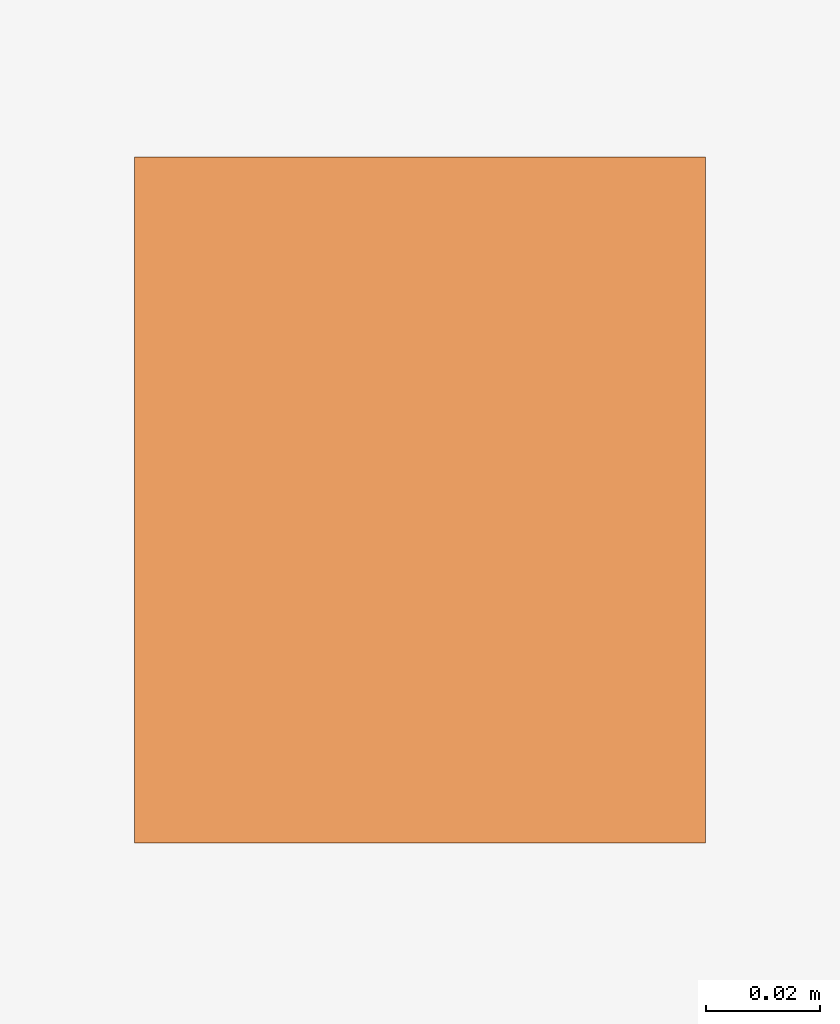
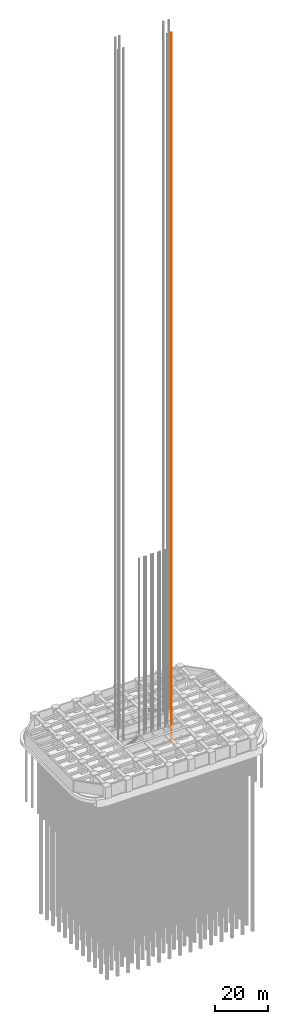
# One storey, part 22 of 24: 1 proxy.
"""IFC4 building model written with IfcOpenShell, lengths in metres."""

import ifcopenshell
import ifcopenshell.guid

model = None  # the IFC model being written
_history = None  # IfcOwnerHistory: only IFC2X3 demands one
_inside = {}  # id of a spatial element -> (the spatial element, [elements in it])
_under = {}  # id of a project, library or spatial element -> (it, [spatial elements below it])
_declared = {}  # id of a project -> (the project, [libraries it declares])
_typed = {}  # id of a type object -> (the type object, [elements of that type])
_made_of = {}  # id of a material, layer set ... -> (it, [elements and type objects made of it])


def new_model(schema):
    """Start an empty IFC model of exactly this schema.

    Asked for "IFC4X3", IfcOpenShell would pick the latest addendum, in which some entities
    have other attributes; the version numbers below select the first issue.
    IFC2X3 requires an IfcOwnerHistory on every rooted entity: one is made here for all.
    """
    global model, _history
    if schema == "IFC4X3":
        model = ifcopenshell.file(schema_version=(4, 3, 0, 0))
    else:
        model = ifcopenshell.file(schema=schema)
    _inside.clear()
    _under.clear()
    _declared.clear()
    _typed.clear()
    _made_of.clear()
    _history = None
    if model.schema == "IFC2X3":
        org = make("IfcOrganization", Name="unknown")
        user = make(
            "IfcPersonAndOrganization",
            ThePerson=make("IfcPerson", FamilyName="unknown"),
            TheOrganization=org,
        )
        app = make(
            "IfcApplication",
            ApplicationDeveloper=org,
            Version="unknown",
            ApplicationFullName="unknown",
            ApplicationIdentifier="unknown",
        )
        _history = make(
            "IfcOwnerHistory",
            OwningUser=user,
            OwningApplication=app,
            ChangeAction="ADDED",
            CreationDate=0,
        )
    return model


def make(cls, **values):
    """One entity of the class cls with the attributes given. An attribute that is None is left unset."""
    return model.create_entity(
        cls, **{name: value for name, value in values.items() if value is not None}
    )


def rooted(cls, **values):
    """An entity with a GlobalId (a new one), such as an element, a storey or a relation."""
    return make(cls, GlobalId=ifcopenshell.guid.new(), OwnerHistory=_history, **values)


def si_unit(unit_type, name, prefix=None):
    """IfcSIUnit, for example si_unit("LENGTHUNIT", "METRE", prefix="MILLI")."""
    return make("IfcSIUnit", UnitType=unit_type, Prefix=prefix, Name=name)


def assignment(units):
    """IfcUnitAssignment: the units of a project."""
    return None if units is None else make("IfcUnitAssignment", Units=units)


def point(xyz):
    """IfcCartesianPoint."""
    return None if xyz is None else make("IfcCartesianPoint", Coordinates=xyz)


def direction(xyz):
    """IfcDirection."""
    return None if xyz is None else make("IfcDirection", DirectionRatios=xyz)


def frame(location, z_axis=None, x_axis=None):
    """IfcAxis2Placement3D, a coordinate frame: its origin and axes. An axis left out is left unset."""
    return make(
        "IfcAxis2Placement3D",
        Location=point(location),
        Axis=direction(z_axis),
        RefDirection=direction(x_axis),
    )


def frame_2d(location, x_axis=None):
    """IfcAxis2Placement2D, a coordinate frame in the plane: its origin and x axis."""
    return make(
        "IfcAxis2Placement2D", Location=point(location), RefDirection=direction(x_axis)
    )


def origin():
    """The frame at (0, 0, 0) with its axes left unset."""
    return frame((0.0, 0.0, 0.0))


def origin_2d():
    """The frame at (0, 0) in the plane with its x axis left unset."""
    return frame_2d((0.0, 0.0))


def place(relative_to, where):
    """IfcLocalPlacement: puts the frame where relative to a parent placement (None: the world)."""
    return make(
        "IfcLocalPlacement", PlacementRelTo=relative_to, RelativePlacement=where
    )


def context(
    kind, dimensions, precision=None, world=None, true_north=None, identifier=None
):
    """IfcGeometricRepresentationContext, for example the 3D "Model" context."""
    return make(
        "IfcGeometricRepresentationContext",
        ContextIdentifier=identifier,
        ContextType=kind,
        CoordinateSpaceDimension=dimensions,
        Precision=precision,
        WorldCoordinateSystem=world,
        TrueNorth=true_north,
    )


def subcontext(parent, identifier, kind, view, scale=None):
    """IfcGeometricRepresentationSubContext, for example "Body" below "Model"."""
    return make(
        "IfcGeometricRepresentationSubContext",
        ContextIdentifier=identifier,
        ContextType=kind,
        ParentContext=parent,
        TargetScale=scale,
        TargetView=view,
    )


def project(units=None, contexts=None):
    """IfcProject with its units and contexts."""
    return rooted(
        "IfcProject",
        Name="project",
        RepresentationContexts=contexts,
        UnitsInContext=assignment(units),
    )


def spatial(cls, under=None, at=None, **own):
    """A site, building, storey or space (cls), placed at a placement, below another one or the project."""
    s = rooted(cls, ObjectPlacement=at, **own)
    if under is not None:
        _under.setdefault(under.id(), (under, []))[1].append(s)
    return s


def profile(cls, at=None, kind="AREA", **sizes):
    """A parametric profile (cls). Its sizes go by their IFC names, for example OverallWidth=200.0."""
    return make(cls, ProfileType=kind, Position=at, **sizes)


def rectangle(**sizes):
    """IfcRectangleProfileDef."""
    return profile("IfcRectangleProfileDef", **sizes)


def extrude(swept, where, along, depth):
    """IfcExtrudedAreaSolid: the profile swept, set in the frame where, extruded along a direction by depth."""
    return make(
        "IfcExtrudedAreaSolid",
        SweptArea=swept,
        Position=where,
        ExtrudedDirection=direction(along),
        Depth=depth,
    )


def shape(context_of_items, identifier, shape_type, items):
    """IfcShapeRepresentation: the items that make up one representation, for example the "Body"."""
    return make(
        "IfcShapeRepresentation",
        ContextOfItems=context_of_items,
        RepresentationIdentifier=identifier,
        RepresentationType=shape_type,
        Items=items,
    )


def made_of(thing, what):
    """Note that an element or type object is made of a material, layer set ...; save() writes the relation."""
    if what is not None:
        _made_of.setdefault(what.id(), (what, []))[1].append(thing)
    return thing


def element(
    cls,
    number,
    at=None,
    inside=None,
    cuts=None,
    type_object=None,
    material=None,
    context=None,
    identifier="Body",
    shape_type=None,
    held_by="IfcProductDefinitionShape",
    body=None,
    shapes=None,
    **own,
):
    """One element of the class cls, such as IfcWall. Its Tag is "e" and its number.

    at: its placement. inside: the storey or other place that contains it. cuts: it is an
    opening in that element (IfcRelVoidsElement). A single representation is given by context,
    identifier, shape_type and body (its items); several are given by shapes. held_by: the class
    of the entity that holds the representations. save() writes the other relations.
    """
    e = rooted(cls, Tag="e%d" % number, ObjectPlacement=at, **own)
    if body is not None:
        shapes = [shape(context, identifier, shape_type, body)]
    if shapes is not None:
        e.Representation = make(held_by, Representations=shapes)
    if inside is not None:
        _inside.setdefault(inside.id(), (inside, []))[1].append(e)
    if cuts is not None:
        rooted(
            "IfcRelVoidsElement", RelatingBuildingElement=cuts, RelatedOpeningElement=e
        )
    if type_object is not None:
        _typed.setdefault(type_object.id(), (type_object, []))[1].append(e)
    return made_of(e, material)


def aggregate(whole, parts):
    """IfcRelAggregates: a whole, such as a stair, and the parts it consists of."""
    return rooted("IfcRelAggregates", RelatingObject=whole, RelatedObjects=parts)


def save(model, path):
    """Write the relations noted so far, then the file.

    IfcRelAggregates (storeys below a building ...), IfcRelContainedInSpatialStructure (elements
    in a storey), IfcRelDefinesByType, IfcRelAssociatesMaterial and IfcRelDeclares: one each for
    every whole, place, type object, material and project.
    """
    for whole, parts in _under.values():
        aggregate(whole, parts)
    for where, things in _inside.values():
        rooted(
            "IfcRelContainedInSpatialStructure",
            RelatedElements=things,
            RelatingStructure=where,
        )
    for kind, things in _typed.values():
        rooted("IfcRelDefinesByType", RelatedObjects=things, RelatingType=kind)
    for what, things in _made_of.values():
        rooted("IfcRelAssociatesMaterial", RelatedObjects=things, RelatingMaterial=what)
    for by, libraries in _declared.values():
        rooted("IfcRelDeclares", RelatingContext=by, RelatedDefinitions=libraries)
    model.write(path)


model = new_model("IFC4")

# Units and contexts
model_context = context("Model", 3, precision=1e-05, world=origin(), true_north=direction((0.0, 1.0)))
body_context = subcontext(model_context, "Body", "Model", "MODEL_VIEW")
ifc_project = project(units=[si_unit("LENGTHUNIT", "METRE"), si_unit("AREAUNIT", "SQUARE_METRE"), si_unit("VOLUMEUNIT", "CUBIC_METRE"), si_unit("PLANEANGLEUNIT", "RADIAN"), si_unit("MASSUNIT", "GRAM", prefix="KILO")], contexts=[model_context])

# Site, building, storey
site_placement = place(None, origin())
site = spatial("IfcSite", under=ifc_project, at=site_placement, CompositionType="ELEMENT")
building_placement = place(site_placement, origin())
building = spatial("IfcBuilding", under=site, at=building_placement, Name="Zorevar Civic Tower", CompositionType="ELEMENT")
storey_placement = place(building_placement, frame((0.0, 0.0, -5.0)))
storey = spatial("IfcBuildingStorey", under=building, at=storey_placement, Name="B1", CompositionType="ELEMENT", Elevation=-5.0)

# Proxy
proxy_placement = place(storey_placement, frame((41.39990234375, 23.10009765625, -3.349853515625), z_axis=(0.0, 0.0, 1.0), x_axis=(1.0, 0.0, 0.0)))
element("IfcBuildingElementProxy", 1, at=proxy_placement, inside=storey, Name="Service lift SL1 guide rail 2", PredefinedType="NOTDEFINED", context=body_context, shape_type="SweptSolid", body=[
    extrude(rectangle(XDim=0.10009765625, YDim=0.1201171875, at=origin_2d()), origin(), (0.0, 0.0, 1.0), 323.64990234375),
])

save(model, "model.ifc")
